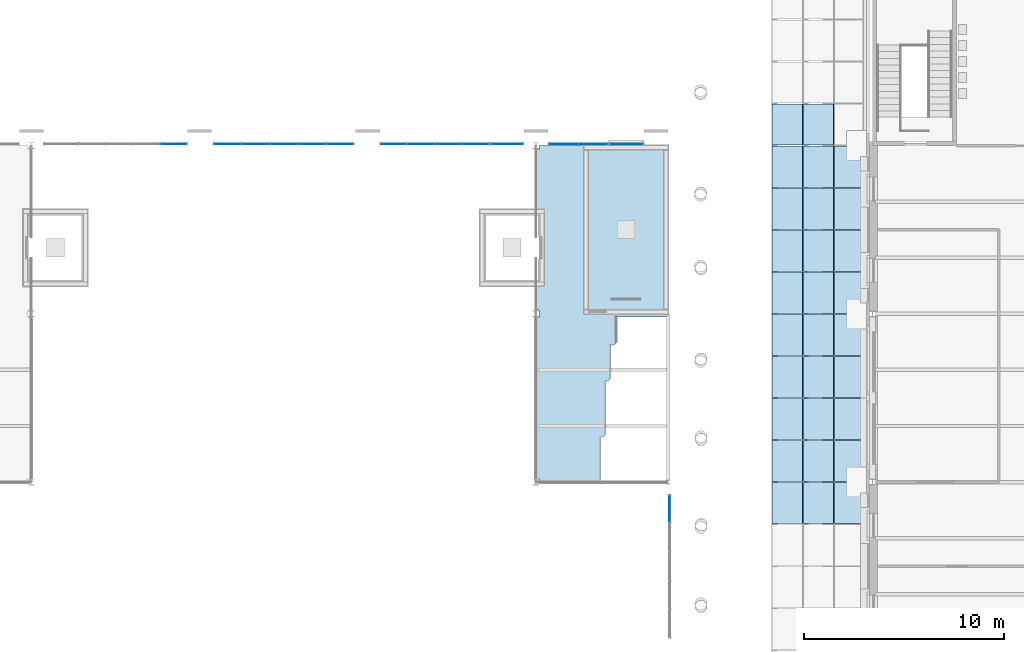
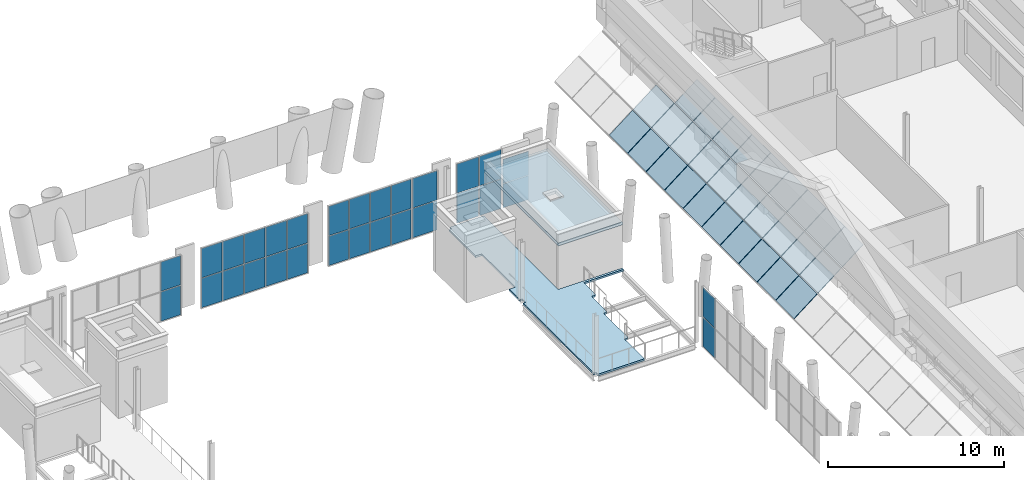
# One storey, part 38 of 76: 59 plates, 2 slabs, 7 elements without a shape of their own.
"""IFC4 building model written with IfcOpenShell, lengths in metres."""

from ifc_helpers import new_model, si_unit, direction, frame, origin, origin_2d, place, context, subcontext, project, spatial, polyline, rectangle, outline, extrude, material, layer, layer_set, type_object, element, aggregate, save


model = new_model("IFC4")

# Units and contexts
model_context = context("Model", 3, precision=1e-05, world=origin(), true_north=direction((0.0, 1.0)))
body_context = subcontext(model_context, "Body", "Model", "MODEL_VIEW")
ifc_project = project(units=[si_unit("LENGTHUNIT", "METRE"), si_unit("AREAUNIT", "SQUARE_METRE"), si_unit("VOLUMEUNIT", "CUBIC_METRE"), si_unit("PLANEANGLEUNIT", "RADIAN"), si_unit("MASSUNIT", "GRAM", prefix="KILO")], contexts=[model_context])

# Site, building, storey
site_placement = place(None, origin())
site = spatial("IfcSite", under=ifc_project, at=site_placement, CompositionType="ELEMENT")
building_placement = place(site_placement, origin())
building = spatial("IfcBuilding", under=site, at=building_placement, Name="Sava Quay Ferry Terminal", CompositionType="ELEMENT")
storey_placement = place(building_placement, frame((0.0, 0.0, 10.800048828125)))
storey = spatial("IfcBuildingStorey", under=building, at=storey_placement, Name="L02", CompositionType="ELEMENT", Elevation=10.800048828125)

# Slab
ifc_material_1 = material(Name="Concrete C30/37", Category="concrete")
ifc_layer_1 = layer(ifc_material_1, 0.1298828125)
ifc_layer_set_1 = layer_set([ifc_layer_1], Name="Concrete C30/37")
slab_type_1 = type_object("IfcSlabType", Name="Composite floor slab 130", PredefinedType="FLOOR", material=ifc_layer_set_1)
slab_1_placement = place(storey_placement, frame((0.0, 0.0, -0.130126953125)))
element("IfcSlab", 1, at=slab_1_placement, inside=storey, type_object=slab_type_1, Name="D floor slab L02", PredefinedType="FLOOR", context=body_context, shape_type="SweptSolid", body=[
    extrude(outline(polyline([(75.760009765625, 84.0), (75.760009765625, 84.18994140625), (75.60009765625, 84.18994140625), (75.60009765625, 92.2099609375), (75.760009765625, 92.2099609375), (75.760009765625, 92.590087890625), (75.60009765625, 92.590087890625), (75.60009765625, 93.800048828125), (76.0, 93.800048828125), (76.0, 97.60009765625), (75.60009765625, 97.60009765625), (75.60009765625, 100.610107421875), (75.760009765625, 100.610107421875), (75.760009765625, 100.800048828125), (78.0, 100.800048828125), (78.0, 92.39990234375), (82.199951171875, 92.39990234375), (82.199951171875, 92.25), (79.60009765625, 92.25), (79.60009765625, 91.0), (79.599365234375, 90.9853515625), (79.59716796875, 90.970703125), (79.593505859375, 90.95654296875), (79.588623046875, 90.942626953125), (79.582275390625, 90.92919921875), (79.57470703125, 90.916748046875), (79.56591796875, 90.90478515625), (79.55615234375, 90.893798828125), (79.545166015625, 90.884033203125), (79.533203125, 90.875244140625), (79.520751953125, 90.86767578125), (79.50732421875, 90.861328125), (79.493408203125, 90.8564453125), (79.479248046875, 90.852783203125), (79.464599609375, 90.8505859375), (79.449951171875, 90.85009765625), (79.300048828125, 90.85009765625), (79.300048828125, 89.199951171875), (79.29931640625, 89.185302734375), (79.297119140625, 89.170654296875), (79.29345703125, 89.156494140625), (79.28857421875, 89.142578125), (79.2822265625, 89.12939453125), (79.274658203125, 89.11669921875), (79.26611328125, 89.104736328125), (79.256103515625, 89.093994140625), (79.2451171875, 89.083984375), (79.2333984375, 89.0751953125), (79.220703125, 89.067626953125), (79.20751953125, 89.061279296875), (79.193603515625, 89.056396484375), (79.17919921875, 89.052978515625), (79.164794921875, 89.05078125), (79.14990234375, 89.050048828125), (79.050048828125, 89.050048828125), (79.050048828125, 86.39990234375), (79.04931640625, 86.38525390625), (79.047119140625, 86.37060546875), (79.04345703125, 86.3564453125), (79.03857421875, 86.342529296875), (79.0322265625, 86.329345703125), (79.024658203125, 86.316650390625), (79.01611328125, 86.3046875), (79.006103515625, 86.2939453125), (78.9951171875, 86.283935546875), (78.9833984375, 86.275390625), (78.970703125, 86.267578125), (78.95751953125, 86.261474609375), (78.943603515625, 86.256591796875), (78.92919921875, 86.2529296875), (78.914794921875, 86.250732421875), (78.89990234375, 86.25), (78.800048828125, 86.25), (78.800048828125, 84.0), (75.760009765625, 84.0)])), origin(), (0.0, 0.0, 1.0), 0.130126953125),
])

# Curtain wall, plates
ifc_material_2 = material(Name="Aluminium and glass curtain wall, double low-e glazed", Category="aluminium")
curtain_wall_type_1 = type_object("IfcCurtainWallType", Name="Curtain wall CW-F flank", PredefinedType="NOTDEFINED", material=ifc_material_2)
curtain_wall_1_placement = place(storey_placement, origin())
curtain_wall_1 = element("IfcCurtainWall", 2, at=curtain_wall_1_placement, inside=storey, type_object=curtain_wall_type_1, Name="Curtain wall D-E L02 bay 4", PredefinedType="NOTDEFINED")
ifc_material_3 = material(Name="Laminated glass, double low-e glazed unit", Category="glass")
ifc_layer_2 = layer(ifc_material_3, 0.028076171875)
ifc_layer_set_2 = layer_set([ifc_layer_2], Name="Laminated glass, double low-e glazed unit")
plate_type_1 = type_object("IfcPlateType", Name="Glass panel 28 double low-e", PredefinedType="CURTAIN_PANEL", material=ifc_layer_set_2)
plate_1_placement = place(storey_placement, frame((82.27490234375, 82.6650390625, 0.050048828125), z_axis=(0.0, 0.0, 1.0), x_axis=(0.0, 1.0, 0.0)))
plate_1 = element("IfcPlate", 3, at=plate_1_placement, type_object=plate_type_1, Name="CW49 panel 5.1", PredefinedType="CURTAIN_PANEL", context=body_context, shape_type="SweptSolid", body=[
    extrude(rectangle(XDim=1.35009765625, YDim=0.028076171875, at=origin_2d()), origin(), (0.0, 0.0, 1.0), 2.02490234375),
])
plate_2_placement = place(storey_placement, frame((82.27490234375, 82.6650390625, 2.125), z_axis=(0.0, 0.0, 1.0), x_axis=(0.0, 1.0, 0.0)))
plate_2 = element("IfcPlate", 4, at=plate_2_placement, type_object=plate_type_1, Name="CW49 panel 5.2", PredefinedType="CURTAIN_PANEL", context=body_context, shape_type="SweptSolid", body=[
    extrude(rectangle(XDim=1.35009765625, YDim=0.028076171875, at=origin_2d()), origin(), (0.0, 0.0, 1.0), 2.02490234375),
])
aggregate(curtain_wall_1, [plate_1, plate_2])

ifc_material_4 = material(Name="Aluminium and glass curtain wall, double low-e glazed", Category="aluminium")
curtain_wall_type_2 = type_object("IfcCurtainWallType", Name="Curtain wall CW-G gable", PredefinedType="NOTDEFINED", material=ifc_material_4)
curtain_wall_2_placement = place(storey_placement, origin())
curtain_wall_2 = element("IfcCurtainWall", 5, at=curtain_wall_2_placement, inside=storey, type_object=curtain_wall_type_2, Name="Curtain wall D-N L02 bay 21", PredefinedType="NOTDEFINED")
plate_3_placement = place(storey_placement, frame((57.49755859375, 100.885009765625, 0.050048828125), z_axis=(0.0, 0.0, 1.0), x_axis=(1.0, 0.0, 0.0)))
plate_3 = element("IfcPlate", 6, at=plate_3_placement, type_object=plate_type_1, Name="CW67 panel 4.1", PredefinedType="CURTAIN_PANEL", context=body_context, shape_type="SweptSolid", body=[
    extrude(rectangle(XDim=1.284912109375, YDim=0.028076171875, at=origin_2d()), origin(), (0.0, 0.0, 1.0), 2.02490234375),
])
plate_4_placement = place(storey_placement, frame((57.49755859375, 100.885009765625, 2.125), z_axis=(0.0, 0.0, 1.0), x_axis=(1.0, 0.0, 0.0)))
plate_4 = element("IfcPlate", 7, at=plate_4_placement, type_object=plate_type_1, Name="CW67 panel 4.2", PredefinedType="CURTAIN_PANEL", context=body_context, shape_type="SweptSolid", body=[
    extrude(rectangle(XDim=1.284912109375, YDim=0.028076171875, at=origin_2d()), origin(), (0.0, 0.0, 1.0), 2.02490234375),
])
aggregate(curtain_wall_2, [plate_3, plate_4])

curtain_wall_3_placement = place(storey_placement, origin())
curtain_wall_3 = element("IfcCurtainWall", 8, at=curtain_wall_3_placement, inside=storey, type_object=curtain_wall_type_2, Name="Curtain wall D-N L02 bay 31", PredefinedType="NOTDEFINED")
plate_5_placement = place(storey_placement, frame((60.19091796875, 100.885009765625, 0.050048828125), z_axis=(0.0, 0.0, 1.0), x_axis=(1.0, 0.0, 0.0)))
plate_5 = element("IfcPlate", 9, at=plate_5_placement, type_object=plate_type_1, Name="CW71 panel 1.1", PredefinedType="CURTAIN_PANEL", context=body_context, shape_type="SweptSolid", body=[
    extrude(rectangle(XDim=1.322021484375, YDim=0.028076171875, at=origin_2d()), origin(), (0.0, 0.0, 1.0), 2.02490234375),
])
plate_6_placement = place(storey_placement, frame((60.19091796875, 100.885009765625, 2.125), z_axis=(0.0, 0.0, 1.0), x_axis=(1.0, 0.0, 0.0)))
plate_6 = element("IfcPlate", 10, at=plate_6_placement, type_object=plate_type_1, Name="CW71 panel 1.2", PredefinedType="CURTAIN_PANEL", context=body_context, shape_type="SweptSolid", body=[
    extrude(rectangle(XDim=1.322021484375, YDim=0.028076171875, at=origin_2d()), origin(), (0.0, 0.0, 1.0), 2.02490234375),
])
plate_7_placement = place(storey_placement, frame((61.587890625, 100.885009765625, 0.050048828125), z_axis=(0.0, 0.0, 1.0), x_axis=(1.0, 0.0, 0.0)))
plate_7 = element("IfcPlate", 11, at=plate_7_placement, type_object=plate_type_1, Name="CW71 panel 2.1", PredefinedType="CURTAIN_PANEL", context=body_context, shape_type="SweptSolid", body=[
    extrude(rectangle(XDim=1.35205078125, YDim=0.028076171875, at=origin_2d()), origin(), (0.0, 0.0, 1.0), 2.02490234375),
])
plate_8_placement = place(storey_placement, frame((61.587890625, 100.885009765625, 2.125), z_axis=(0.0, 0.0, 1.0), x_axis=(1.0, 0.0, 0.0)))
plate_8 = element("IfcPlate", 12, at=plate_8_placement, type_object=plate_type_1, Name="CW71 panel 2.2", PredefinedType="CURTAIN_PANEL", context=body_context, shape_type="SweptSolid", body=[
    extrude(rectangle(XDim=1.35205078125, YDim=0.028076171875, at=origin_2d()), origin(), (0.0, 0.0, 1.0), 2.02490234375),
])
plate_9_placement = place(storey_placement, frame((63.0, 100.885009765625, 0.050048828125), z_axis=(0.0, 0.0, 1.0), x_axis=(1.0, 0.0, 0.0)))
plate_9 = element("IfcPlate", 13, at=plate_9_placement, type_object=plate_type_1, Name="CW71 panel 3.1", PredefinedType="CURTAIN_PANEL", context=body_context, shape_type="SweptSolid", body=[
    extrude(rectangle(XDim=1.35205078125, YDim=0.028076171875, at=origin_2d()), origin(), (0.0, 0.0, 1.0), 2.02490234375),
])
plate_10_placement = place(storey_placement, frame((63.0, 100.885009765625, 2.125), z_axis=(0.0, 0.0, 1.0), x_axis=(1.0, 0.0, 0.0)))
plate_10 = element("IfcPlate", 14, at=plate_10_placement, type_object=plate_type_1, Name="CW71 panel 3.2", PredefinedType="CURTAIN_PANEL", context=body_context, shape_type="SweptSolid", body=[
    extrude(rectangle(XDim=1.35205078125, YDim=0.028076171875, at=origin_2d()), origin(), (0.0, 0.0, 1.0), 2.02490234375),
])
plate_11_placement = place(storey_placement, frame((64.412109375, 100.885009765625, 0.050048828125), z_axis=(0.0, 0.0, 1.0), x_axis=(1.0, 0.0, 0.0)))
plate_11 = element("IfcPlate", 15, at=plate_11_placement, type_object=plate_type_1, Name="CW71 panel 4.1", PredefinedType="CURTAIN_PANEL", context=body_context, shape_type="SweptSolid", body=[
    extrude(rectangle(XDim=1.35205078125, YDim=0.028076171875, at=origin_2d()), origin(), (0.0, 0.0, 1.0), 2.02490234375),
])
plate_12_placement = place(storey_placement, frame((64.412109375, 100.885009765625, 2.125), z_axis=(0.0, 0.0, 1.0), x_axis=(1.0, 0.0, 0.0)))
plate_12 = element("IfcPlate", 16, at=plate_12_placement, type_object=plate_type_1, Name="CW71 panel 4.2", PredefinedType="CURTAIN_PANEL", context=body_context, shape_type="SweptSolid", body=[
    extrude(rectangle(XDim=1.35205078125, YDim=0.028076171875, at=origin_2d()), origin(), (0.0, 0.0, 1.0), 2.02490234375),
])
plate_13_placement = place(storey_placement, frame((65.80908203125, 100.885009765625, 0.050048828125), z_axis=(0.0, 0.0, 1.0), x_axis=(1.0, 0.0, 0.0)))
plate_13 = element("IfcPlate", 17, at=plate_13_placement, type_object=plate_type_1, Name="CW71 panel 5.1", PredefinedType="CURTAIN_PANEL", context=body_context, shape_type="SweptSolid", body=[
    extrude(rectangle(XDim=1.322021484375, YDim=0.028076171875, at=origin_2d()), origin(), (0.0, 0.0, 1.0), 2.02490234375),
])
plate_14_placement = place(storey_placement, frame((65.80908203125, 100.885009765625, 2.125), z_axis=(0.0, 0.0, 1.0), x_axis=(1.0, 0.0, 0.0)))
plate_14 = element("IfcPlate", 18, at=plate_14_placement, type_object=plate_type_1, Name="CW71 panel 5.2", PredefinedType="CURTAIN_PANEL", context=body_context, shape_type="SweptSolid", body=[
    extrude(rectangle(XDim=1.322021484375, YDim=0.028076171875, at=origin_2d()), origin(), (0.0, 0.0, 1.0), 2.02490234375),
])
aggregate(curtain_wall_3, [plate_5, plate_6, plate_7, plate_8, plate_9, plate_10, plate_11, plate_12, plate_13, plate_14])

curtain_wall_4_placement = place(storey_placement, origin())
curtain_wall_4 = element("IfcCurtainWall", 19, at=curtain_wall_4_placement, inside=storey, type_object=curtain_wall_type_2, Name="Curtain wall D-N L02 bay 41", PredefinedType="NOTDEFINED")
plate_15_placement = place(storey_placement, frame((68.50244140625, 100.885009765625, 0.050048828125), z_axis=(0.0, 0.0, 1.0), x_axis=(1.0, 0.0, 0.0)))
plate_15 = element("IfcPlate", 20, at=plate_15_placement, type_object=plate_type_1, Name="CW75 panel 1.1", PredefinedType="CURTAIN_PANEL", context=body_context, shape_type="SweptSolid", body=[
    extrude(rectangle(XDim=1.284912109375, YDim=0.028076171875, at=origin_2d()), origin(), (0.0, 0.0, 1.0), 2.02490234375),
])
plate_16_placement = place(storey_placement, frame((68.50244140625, 100.885009765625, 2.125), z_axis=(0.0, 0.0, 1.0), x_axis=(1.0, 0.0, 0.0)))
plate_16 = element("IfcPlate", 21, at=plate_16_placement, type_object=plate_type_1, Name="CW75 panel 1.2", PredefinedType="CURTAIN_PANEL", context=body_context, shape_type="SweptSolid", body=[
    extrude(rectangle(XDim=1.284912109375, YDim=0.028076171875, at=origin_2d()), origin(), (0.0, 0.0, 1.0), 2.02490234375),
])
plate_17_placement = place(storey_placement, frame((69.862548828125, 100.885009765625, 0.050048828125), z_axis=(0.0, 0.0, 1.0), x_axis=(1.0, 0.0, 0.0)))
plate_17 = element("IfcPlate", 22, at=plate_17_placement, type_object=plate_type_1, Name="CW75 panel 2.1", PredefinedType="CURTAIN_PANEL", context=body_context, shape_type="SweptSolid", body=[
    extrude(rectangle(XDim=1.31494140625, YDim=0.028076171875, at=origin_2d()), origin(), (0.0, 0.0, 1.0), 2.02490234375),
])
plate_18_placement = place(storey_placement, frame((69.862548828125, 100.885009765625, 2.125), z_axis=(0.0, 0.0, 1.0), x_axis=(1.0, 0.0, 0.0)))
plate_18 = element("IfcPlate", 23, at=plate_18_placement, type_object=plate_type_1, Name="CW75 panel 2.2", PredefinedType="CURTAIN_PANEL", context=body_context, shape_type="SweptSolid", body=[
    extrude(rectangle(XDim=1.31494140625, YDim=0.028076171875, at=origin_2d()), origin(), (0.0, 0.0, 1.0), 2.02490234375),
])
plate_19_placement = place(storey_placement, frame((71.237548828125, 100.885009765625, 0.050048828125), z_axis=(0.0, 0.0, 1.0), x_axis=(1.0, 0.0, 0.0)))
plate_19 = element("IfcPlate", 24, at=plate_19_placement, type_object=plate_type_1, Name="CW75 panel 3.1", PredefinedType="CURTAIN_PANEL", context=body_context, shape_type="SweptSolid", body=[
    extrude(rectangle(XDim=1.31494140625, YDim=0.028076171875, at=origin_2d()), origin(), (0.0, 0.0, 1.0), 2.02490234375),
])
plate_20_placement = place(storey_placement, frame((71.237548828125, 100.885009765625, 2.125), z_axis=(0.0, 0.0, 1.0), x_axis=(1.0, 0.0, 0.0)))
plate_20 = element("IfcPlate", 25, at=plate_20_placement, type_object=plate_type_1, Name="CW75 panel 3.2", PredefinedType="CURTAIN_PANEL", context=body_context, shape_type="SweptSolid", body=[
    extrude(rectangle(XDim=1.31494140625, YDim=0.028076171875, at=origin_2d()), origin(), (0.0, 0.0, 1.0), 2.02490234375),
])
plate_21_placement = place(storey_placement, frame((72.597412109375, 100.885009765625, 0.050048828125), z_axis=(0.0, 0.0, 1.0), x_axis=(1.0, 0.0, 0.0)))
plate_21 = element("IfcPlate", 26, at=plate_21_placement, type_object=plate_type_1, Name="CW75 panel 4.1", PredefinedType="CURTAIN_PANEL", context=body_context, shape_type="SweptSolid", body=[
    extrude(rectangle(XDim=1.284912109375, YDim=0.028076171875, at=origin_2d()), origin(), (0.0, 0.0, 1.0), 2.02490234375),
])
plate_22_placement = place(storey_placement, frame((72.597412109375, 100.885009765625, 2.125), z_axis=(0.0, 0.0, 1.0), x_axis=(1.0, 0.0, 0.0)))
plate_22 = element("IfcPlate", 27, at=plate_22_placement, type_object=plate_type_1, Name="CW75 panel 4.2", PredefinedType="CURTAIN_PANEL", context=body_context, shape_type="SweptSolid", body=[
    extrude(rectangle(XDim=1.284912109375, YDim=0.028076171875, at=origin_2d()), origin(), (0.0, 0.0, 1.0), 2.02490234375),
])
aggregate(curtain_wall_4, [plate_15, plate_16, plate_17, plate_18, plate_19, plate_20, plate_21, plate_22])

curtain_wall_5_placement = place(storey_placement, origin())
curtain_wall_5 = element("IfcCurtainWall", 28, at=curtain_wall_5_placement, inside=storey, type_object=curtain_wall_type_2, Name="Curtain wall D-N L02 bay 51", PredefinedType="NOTDEFINED")
plate_23_placement = place(storey_placement, frame((74.14990234375, 100.885009765625, 0.050048828125), z_axis=(0.0, 0.0, 1.0), x_axis=(1.0, 0.0, 0.0)))
plate_23 = element("IfcPlate", 29, at=plate_23_placement, type_object=plate_type_1, Name="CW79 panel 1.1", PredefinedType="CURTAIN_PANEL", context=body_context, shape_type="SweptSolid", body=[
    extrude(rectangle(XDim=1.580078125, YDim=0.028076171875, at=origin_2d()), origin(), (0.0, 0.0, 1.0), 2.02490234375),
])
plate_24_placement = place(storey_placement, frame((74.14990234375, 100.885009765625, 2.125), z_axis=(0.0, 0.0, 1.0), x_axis=(1.0, 0.0, 0.0)))
plate_24 = element("IfcPlate", 30, at=plate_24_placement, type_object=plate_type_1, Name="CW79 panel 1.2", PredefinedType="CURTAIN_PANEL", context=body_context, shape_type="SweptSolid", body=[
    extrude(rectangle(XDim=1.580078125, YDim=0.028076171875, at=origin_2d()), origin(), (0.0, 0.0, 1.0), 2.02490234375),
])
aggregate(curtain_wall_5, [plate_23, plate_24])

curtain_wall_6_placement = place(storey_placement, origin())
curtain_wall_6 = element("IfcCurtainWall", 31, at=curtain_wall_6_placement, inside=storey, type_object=curtain_wall_type_2, Name="Curtain wall D-N L02 bay 52", PredefinedType="NOTDEFINED")
plate_25_placement = place(storey_placement, frame((76.969970703125, 100.885009765625, 0.050048828125), z_axis=(0.0, 0.0, 1.0), x_axis=(1.0, 0.0, 0.0)))
plate_25 = element("IfcPlate", 32, at=plate_25_placement, type_object=plate_type_1, Name="CW83 panel 1.1", PredefinedType="CURTAIN_PANEL", context=body_context, shape_type="SweptSolid", body=[
    extrude(rectangle(XDim=1.419921875, YDim=0.028076171875, at=origin_2d()), origin(), (0.0, 0.0, 1.0), 2.02490234375),
])
plate_26_placement = place(storey_placement, frame((76.969970703125, 100.885009765625, 2.125), z_axis=(0.0, 0.0, 1.0), x_axis=(1.0, 0.0, 0.0)))
plate_26 = element("IfcPlate", 33, at=plate_26_placement, type_object=plate_type_1, Name="CW83 panel 1.2", PredefinedType="CURTAIN_PANEL", context=body_context, shape_type="SweptSolid", body=[
    extrude(rectangle(XDim=1.419921875, YDim=0.028076171875, at=origin_2d()), origin(), (0.0, 0.0, 1.0), 2.02490234375),
])
plate_27_placement = place(storey_placement, frame((78.449951171875, 100.885009765625, 0.050048828125), z_axis=(0.0, 0.0, 1.0), x_axis=(1.0, 0.0, 0.0)))
plate_27 = element("IfcPlate", 34, at=plate_27_placement, type_object=plate_type_1, Name="CW83 panel 2.1", PredefinedType="CURTAIN_PANEL", context=body_context, shape_type="SweptSolid", body=[
    extrude(rectangle(XDim=1.419921875, YDim=0.028076171875, at=origin_2d()), origin(), (0.0, 0.0, 1.0), 2.02490234375),
])
plate_28_placement = place(storey_placement, frame((78.449951171875, 100.885009765625, 2.125), z_axis=(0.0, 0.0, 1.0), x_axis=(1.0, 0.0, 0.0)))
plate_28 = element("IfcPlate", 35, at=plate_28_placement, type_object=plate_type_1, Name="CW83 panel 2.2", PredefinedType="CURTAIN_PANEL", context=body_context, shape_type="SweptSolid", body=[
    extrude(rectangle(XDim=1.419921875, YDim=0.028076171875, at=origin_2d()), origin(), (0.0, 0.0, 1.0), 2.02490234375),
])
aggregate(curtain_wall_6, [plate_25, plate_26, plate_27, plate_28])

curtain_wall_7_placement = place(storey_placement, origin())
curtain_wall_7 = element("IfcCurtainWall", 36, at=curtain_wall_7_placement, inside=storey, type_object=curtain_wall_type_2, Name="Curtain wall D-N L02 bay 61", PredefinedType="NOTDEFINED")
plate_29_placement = place(storey_placement, frame((80.110107421875, 100.885009765625, 0.050048828125), z_axis=(0.0, 0.0, 1.0), x_axis=(1.0, 0.0, 0.0)))
plate_29 = element("IfcPlate", 37, at=plate_29_placement, type_object=plate_type_1, Name="CW87 panel 1.1", PredefinedType="CURTAIN_PANEL", context=body_context, shape_type="SweptSolid", body=[
    extrude(rectangle(XDim=1.659912109375, YDim=0.028076171875, at=origin_2d()), origin(), (0.0, 0.0, 1.0), 1.64990234375),
])
plate_30_placement = place(storey_placement, frame((80.110107421875, 100.885009765625, 1.75), z_axis=(0.0, 0.0, 1.0), x_axis=(1.0, 0.0, 0.0)))
plate_30 = element("IfcPlate", 38, at=plate_30_placement, type_object=plate_type_1, Name="CW87 panel 1.2", PredefinedType="CURTAIN_PANEL", context=body_context, shape_type="SweptSolid", body=[
    extrude(rectangle(XDim=1.659912109375, YDim=0.028076171875, at=origin_2d()), origin(), (0.0, 0.0, 1.0), 1.64990234375),
])
aggregate(curtain_wall_7, [plate_29, plate_30])

# Slab
ifc_material_5 = material(Name="Concrete C35/45", Category="concrete")
ifc_layer_3 = layer(ifc_material_5, 0.199951171875)
ifc_layer_set_3 = layer_set([ifc_layer_3], Name="Concrete C35/45")
slab_type_2 = type_object("IfcSlabType", Name="RC core roof slab 200", PredefinedType="ROOF", material=ifc_layer_set_3)
slab_2_placement = place(storey_placement, frame((0.0, 0.0, 3.0)))
element("IfcSlab", 39, at=slab_2_placement, inside=storey, type_object=slab_type_2, Name="Core roof slab ST-D6", PredefinedType="ROOF", context=body_context, shape_type="SweptSolid", body=[
    extrude(outline(polyline([(78.0, 92.39990234375), (82.199951171875, 92.39990234375), (82.199951171875, 100.800048828125), (78.0, 100.800048828125), (78.0, 92.39990234375)]), holes=[polyline([(79.75, 96.25), (80.449951171875, 96.25), (80.449951171875, 96.949951171875), (79.75, 96.949951171875), (79.75, 96.25)])]), origin(), (0.0, 0.0, 1.0), 0.199951171875),
])

# Plates
ifc_material_6 = material(Name="Laminated glass", Category="glass")
ifc_layer_4 = layer(ifc_material_6, 0.0400390625)
ifc_layer_set_4 = layer_set([ifc_layer_4], Name="Laminated glass")
plate_type_2 = type_object("IfcPlateType", Name="Skylight glass 40", PredefinedType="SHEET", material=ifc_layer_set_4)
for number, where, z_axis, x_axis, name in (
    (40, (87.39599609375, 102.8798828125, 1.029296875), (-0.617810385509, 0.0, 0.786327112312), (0.786327112312, 0.0, 0.617810385509), "Passage roof glass PS-F-K3.2"),
    (41, (88.946044921875, 102.8798828125, 2.247314453125), (-0.617810385509, 0.0, 0.786327112312), (0.786327112312, 0.0, 0.617810385509), "Passage roof glass PS-F-K3.3"),
):
    element("IfcPlate", number, at=place(storey_placement, frame(where, z_axis=z_axis, x_axis=x_axis)), inside=storey, type_object=plate_type_2, Name=name, PredefinedType="SHEET", context=body_context, shape_type="SweptSolid", body=[
        extrude(outline(polyline([(0.0, 0.0), (1.9311997052158885, 0.0), (1.9311997052158885, -2.059814453125), (0.0, -2.059814453125), (0.0, 0.0)])), origin(), (0.0, 0.0, -1.0), 0.0400390625),
    ])
for number, where, z_axis, x_axis, name in (
    (42, (87.39599609375, 100.780029296875, 1.029296875), (-0.617810385509, 0.0, 0.786327112312), (0.786327112312, 0.0, 0.617810385509), "Passage roof glass PS-F-K4.2"),
    (43, (88.946044921875, 100.780029296875, 2.247314453125), (-0.617810385509, 0.0, 0.786327112312), (0.786327112312, 0.0, 0.617810385509), "Passage roof glass PS-F-K4.3"),
):
    element("IfcPlate", number, at=place(storey_placement, frame(where, z_axis=z_axis, x_axis=x_axis)), inside=storey, type_object=plate_type_2, Name=name, PredefinedType="SHEET", context=body_context, shape_type="SweptSolid", body=[
        extrude(outline(polyline([(0.0, 0.0), (1.9311997052158885, 0.0), (1.9311997052158885, -2.06005859375), (0.0, -2.06005859375), (0.0, 0.0)])), origin(), (0.0, 0.0, -1.0), 0.0400390625),
    ])
plate_31_placement = place(storey_placement, frame((90.495849609375, 98.719970703125, 3.465087890625), z_axis=(-0.617821551932, 0.0, 0.786318338822), x_axis=(0.0, 1.0, 0.0)))
element("IfcPlate", 44, at=plate_31_placement, inside=storey, type_object=plate_type_2, Name="Passage roof glass PS-F-K4.4", PredefinedType="SHEET", context=body_context, shape_type="SweptSolid", body=[
    extrude(outline(polyline([(0.0, 0.0), (2.06005859375, 0.0), (2.06005859375, -1.8169625035575463), (0.0, -1.8169625035575463), (0.0, 0.0)])), origin(), (0.0, 0.0, -1.0), 0.0400390625),
])
for number, where, z_axis, x_axis, name in (
    (45, (87.39599609375, 98.679931640625, 1.029296875), (-0.617810385509, 0.0, 0.786327112312), (0.786327112312, 0.0, 0.617810385509), "Passage roof glass PS-F-K5.2"),
    (46, (88.946044921875, 98.679931640625, 2.247314453125), (-0.617810385509, 0.0, 0.786327112312), (0.786327112312, 0.0, 0.617810385509), "Passage roof glass PS-F-K5.3"),
):
    element("IfcPlate", number, at=place(storey_placement, frame(where, z_axis=z_axis, x_axis=x_axis)), inside=storey, type_object=plate_type_2, Name=name, PredefinedType="SHEET", context=body_context, shape_type="SweptSolid", body=[
        extrude(outline(polyline([(0.0, 0.0), (1.9311997052158885, 0.0), (1.9311997052158885, -2.059814453125), (0.0, -2.059814453125), (0.0, 0.0)])), origin(), (0.0, 0.0, -1.0), 0.0400390625),
    ])
plate_32_placement = place(storey_placement, frame((90.495849609375, 96.6201171875, 3.465087890625), z_axis=(-0.617821551932, 0.0, 0.786318338822), x_axis=(0.0, 1.0, 0.0)))
element("IfcPlate", 47, at=plate_32_placement, inside=storey, type_object=plate_type_2, Name="Passage roof glass PS-F-K5.4", PredefinedType="SHEET", context=body_context, shape_type="SweptSolid", body=[
    extrude(outline(polyline([(0.0, 0.0), (2.059814453125, 0.0), (2.059814453125, -1.816962503557546), (0.0, -1.816962503557546), (0.0, 0.0)])), origin(), (0.0, 0.0, -1.0), 0.0400390625),
])
for number, where, z_axis, x_axis, name in (
    (48, (87.39599609375, 96.580078125, 1.029296875), (-0.617810385509, 0.0, 0.786327112312), (0.786327112312, 0.0, 0.617810385509), "Passage roof glass PS-F-K6.2"),
    (49, (88.946044921875, 96.580078125, 2.247314453125), (-0.617810385509, 0.0, 0.786327112312), (0.786327112312, 0.0, 0.617810385509), "Passage roof glass PS-F-K6.3"),
):
    element("IfcPlate", number, at=place(storey_placement, frame(where, z_axis=z_axis, x_axis=x_axis)), inside=storey, type_object=plate_type_2, Name=name, PredefinedType="SHEET", context=body_context, shape_type="SweptSolid", body=[
        extrude(outline(polyline([(0.0, 0.0), (1.9311997052158885, 0.0), (1.9311997052158885, -2.06005859375), (0.0, -2.06005859375), (0.0, 0.0)])), origin(), (0.0, 0.0, -1.0), 0.0400390625),
    ])
plate_33_placement = place(storey_placement, frame((90.495849609375, 94.52001953125, 3.465087890625), z_axis=(-0.617821551932, 0.0, 0.786318338822), x_axis=(0.0, 1.0, 0.0)))
element("IfcPlate", 50, at=plate_33_placement, inside=storey, type_object=plate_type_2, Name="Passage roof glass PS-F-K6.4", PredefinedType="SHEET", context=body_context, shape_type="SweptSolid", body=[
    extrude(outline(polyline([(0.0, 0.0), (2.06005859375, 0.0), (2.06005859375, -1.8169625035575463), (0.0, -1.8169625035575463), (0.0, 0.0)])), origin(), (0.0, 0.0, -1.0), 0.0400390625),
])
for number, where, z_axis, x_axis, name in (
    (51, (87.39599609375, 94.47998046875, 1.029296875), (-0.617810385509, 0.0, 0.786327112312), (0.786327112312, 0.0, 0.617810385509), "Passage roof glass PS-F-K7.2"),
    (52, (88.946044921875, 94.47998046875, 2.247314453125), (-0.617810385509, 0.0, 0.786327112312), (0.786327112312, 0.0, 0.617810385509), "Passage roof glass PS-F-K7.3"),
):
    element("IfcPlate", number, at=place(storey_placement, frame(where, z_axis=z_axis, x_axis=x_axis)), inside=storey, type_object=plate_type_2, Name=name, PredefinedType="SHEET", context=body_context, shape_type="SweptSolid", body=[
        extrude(outline(polyline([(0.0, 0.0), (1.9311997052158885, 0.0), (1.9311997052158885, -2.06005859375), (0.0, -2.06005859375), (0.0, 0.0)])), origin(), (0.0, 0.0, -1.0), 0.0400390625),
    ])
plate_34_placement = place(storey_placement, frame((90.495849609375, 92.419921875, 3.465087890625), z_axis=(-0.617821551932, 0.0, 0.786318338822), x_axis=(0.0, 1.0, 0.0)))
element("IfcPlate", 53, at=plate_34_placement, inside=storey, type_object=plate_type_2, Name="Passage roof glass PS-F-K7.4", PredefinedType="SHEET", context=body_context, shape_type="SweptSolid", body=[
    extrude(outline(polyline([(0.0, 0.0), (2.06005859375, 0.0), (2.06005859375, -1.8169625035575463), (0.0, -1.8169625035575463), (0.0, 0.0)])), origin(), (0.0, 0.0, -1.0), 0.0400390625),
])
for number, where, z_axis, x_axis, name in (
    (54, (87.39599609375, 92.3798828125, 1.029296875), (-0.617810385509, 0.0, 0.786327112312), (0.786327112312, 0.0, 0.617810385509), "Passage roof glass PS-F-K8.2"),
    (55, (88.946044921875, 92.3798828125, 2.247314453125), (-0.617810385509, 0.0, 0.786327112312), (0.786327112312, 0.0, 0.617810385509), "Passage roof glass PS-F-K8.3"),
):
    element("IfcPlate", number, at=place(storey_placement, frame(where, z_axis=z_axis, x_axis=x_axis)), inside=storey, type_object=plate_type_2, Name=name, PredefinedType="SHEET", context=body_context, shape_type="SweptSolid", body=[
        extrude(outline(polyline([(0.0, 0.0), (1.9311997052158885, 0.0), (1.9311997052158885, -2.059814453125), (0.0, -2.059814453125), (0.0, 0.0)])), origin(), (0.0, 0.0, -1.0), 0.0400390625),
    ])
plate_35_placement = place(storey_placement, frame((90.495849609375, 90.320068359375, 3.465087890625), z_axis=(-0.617821551932, 0.0, 0.786318338822), x_axis=(0.0, 1.0, 0.0)))
element("IfcPlate", 56, at=plate_35_placement, inside=storey, type_object=plate_type_2, Name="Passage roof glass PS-F-K8.4", PredefinedType="SHEET", context=body_context, shape_type="SweptSolid", body=[
    extrude(outline(polyline([(0.0, 0.0), (2.059814453125, 0.0), (2.059814453125, -1.816962503557546), (0.0, -1.816962503557546), (0.0, 0.0)])), origin(), (0.0, 0.0, -1.0), 0.0400390625),
])
for number, where, z_axis, x_axis, name in (
    (57, (87.39599609375, 90.280029296875, 1.029296875), (-0.617810385509, 0.0, 0.786327112312), (0.786327112312, 0.0, 0.617810385509), "Passage roof glass PS-F-K9.2"),
    (58, (88.946044921875, 90.280029296875, 2.247314453125), (-0.617810385509, 0.0, 0.786327112312), (0.786327112312, 0.0, 0.617810385509), "Passage roof glass PS-F-K9.3"),
):
    element("IfcPlate", number, at=place(storey_placement, frame(where, z_axis=z_axis, x_axis=x_axis)), inside=storey, type_object=plate_type_2, Name=name, PredefinedType="SHEET", context=body_context, shape_type="SweptSolid", body=[
        extrude(outline(polyline([(0.0, 0.0), (1.9311997052158885, 0.0), (1.9311997052158885, -2.06005859375), (0.0, -2.06005859375), (0.0, 0.0)])), origin(), (0.0, 0.0, -1.0), 0.0400390625),
    ])
plate_36_placement = place(storey_placement, frame((90.495849609375, 88.219970703125, 3.465087890625), z_axis=(-0.617821551932, 0.0, 0.786318338822), x_axis=(0.0, 1.0, 0.0)))
element("IfcPlate", 59, at=plate_36_placement, inside=storey, type_object=plate_type_2, Name="Passage roof glass PS-F-K9.4", PredefinedType="SHEET", context=body_context, shape_type="SweptSolid", body=[
    extrude(outline(polyline([(0.0, 0.0), (2.06005859375, 0.0), (2.06005859375, -1.8169625035575463), (0.0, -1.8169625035575463), (0.0, 0.0)])), origin(), (0.0, 0.0, -1.0), 0.0400390625),
])
for number, where, z_axis, x_axis, name in (
    (60, (87.39599609375, 88.179931640625, 1.029296875), (-0.617810385509, 0.0, 0.786327112312), (0.786327112312, 0.0, 0.617810385509), "Passage roof glass PS-F-K10.2"),
    (61, (88.946044921875, 88.179931640625, 2.247314453125), (-0.617810385509, 0.0, 0.786327112312), (0.786327112312, 0.0, 0.617810385509), "Passage roof glass PS-F-K10.3"),
):
    element("IfcPlate", number, at=place(storey_placement, frame(where, z_axis=z_axis, x_axis=x_axis)), inside=storey, type_object=plate_type_2, Name=name, PredefinedType="SHEET", context=body_context, shape_type="SweptSolid", body=[
        extrude(outline(polyline([(0.0, 0.0), (1.9311997052158885, 0.0), (1.9311997052158885, -2.059814453125), (0.0, -2.059814453125), (0.0, 0.0)])), origin(), (0.0, 0.0, -1.0), 0.0400390625),
    ])
plate_37_placement = place(storey_placement, frame((90.495849609375, 86.1201171875, 3.465087890625), z_axis=(-0.617821551932, 0.0, 0.786318338822), x_axis=(0.0, 1.0, 0.0)))
element("IfcPlate", 62, at=plate_37_placement, inside=storey, type_object=plate_type_2, Name="Passage roof glass PS-F-K10.4", PredefinedType="SHEET", context=body_context, shape_type="SweptSolid", body=[
    extrude(outline(polyline([(0.0, 0.0), (2.059814453125, 0.0), (2.059814453125, -1.816962503557546), (0.0, -1.816962503557546), (0.0, 0.0)])), origin(), (0.0, 0.0, -1.0), 0.0400390625),
])
for number, where, z_axis, x_axis, name in (
    (63, (87.39599609375, 86.080078125, 1.029296875), (-0.617810385509, 0.0, 0.786327112312), (0.786327112312, 0.0, 0.617810385509), "Passage roof glass PS-F-K11.2"),
    (64, (88.946044921875, 86.080078125, 2.247314453125), (-0.617810385509, 0.0, 0.786327112312), (0.786327112312, 0.0, 0.617810385509), "Passage roof glass PS-F-K11.3"),
):
    element("IfcPlate", number, at=place(storey_placement, frame(where, z_axis=z_axis, x_axis=x_axis)), inside=storey, type_object=plate_type_2, Name=name, PredefinedType="SHEET", context=body_context, shape_type="SweptSolid", body=[
        extrude(outline(polyline([(0.0, 0.0), (1.9311997052158885, 0.0), (1.9311997052158885, -2.06005859375), (0.0, -2.06005859375), (0.0, 0.0)])), origin(), (0.0, 0.0, -1.0), 0.0400390625),
    ])
plate_38_placement = place(storey_placement, frame((90.495849609375, 84.02001953125, 3.465087890625), z_axis=(-0.617821551932, 0.0, 0.786318338822), x_axis=(0.0, 1.0, 0.0)))
element("IfcPlate", 65, at=plate_38_placement, inside=storey, type_object=plate_type_2, Name="Passage roof glass PS-F-K11.4", PredefinedType="SHEET", context=body_context, shape_type="SweptSolid", body=[
    extrude(outline(polyline([(0.0, 0.0), (2.06005859375, 0.0), (2.06005859375, -1.8169625035575463), (0.0, -1.8169625035575463), (0.0, 0.0)])), origin(), (0.0, 0.0, -1.0), 0.0400390625),
])
for number, where, z_axis, x_axis, name in (
    (66, (87.39599609375, 83.97998046875, 1.029296875), (-0.617810385509, 0.0, 0.786327112312), (0.786327112312, 0.0, 0.617810385509), "Passage roof glass PS-F-K12.2"),
    (67, (88.946044921875, 83.97998046875, 2.247314453125), (-0.617810385509, 0.0, 0.786327112312), (0.786327112312, 0.0, 0.617810385509), "Passage roof glass PS-F-K12.3"),
):
    element("IfcPlate", number, at=place(storey_placement, frame(where, z_axis=z_axis, x_axis=x_axis)), inside=storey, type_object=plate_type_2, Name=name, PredefinedType="SHEET", context=body_context, shape_type="SweptSolid", body=[
        extrude(outline(polyline([(0.0, 0.0), (1.9311997052158885, 0.0), (1.9311997052158885, -2.06005859375), (0.0, -2.06005859375), (0.0, 0.0)])), origin(), (0.0, 0.0, -1.0), 0.0400390625),
    ])
plate_39_placement = place(storey_placement, frame((90.495849609375, 81.919921875, 3.465087890625), z_axis=(-0.617821551932, 0.0, 0.786318338822), x_axis=(0.0, 1.0, 0.0)))
element("IfcPlate", 68, at=plate_39_placement, inside=storey, type_object=plate_type_2, Name="Passage roof glass PS-F-K12.4", PredefinedType="SHEET", context=body_context, shape_type="SweptSolid", body=[
    extrude(outline(polyline([(0.0, 0.0), (2.06005859375, 0.0), (2.06005859375, -1.8169625035575463), (0.0, -1.8169625035575463), (0.0, 0.0)])), origin(), (0.0, 0.0, -1.0), 0.0400390625),
])

save(model, "model.ifc")
